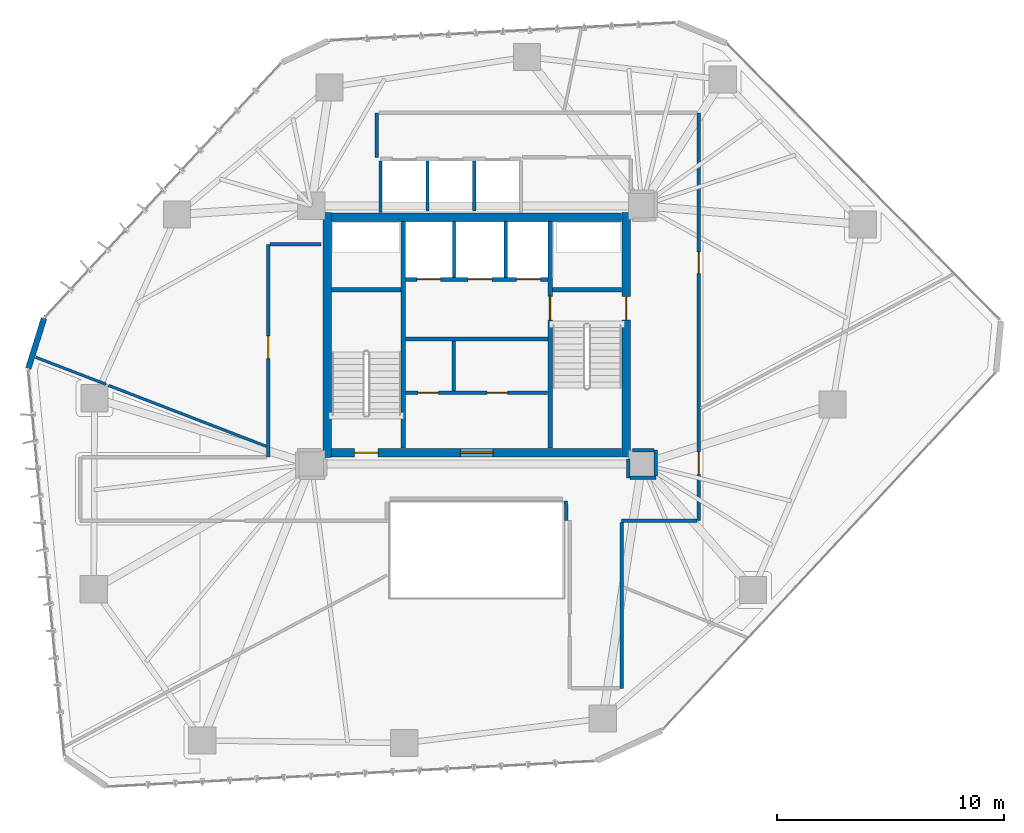
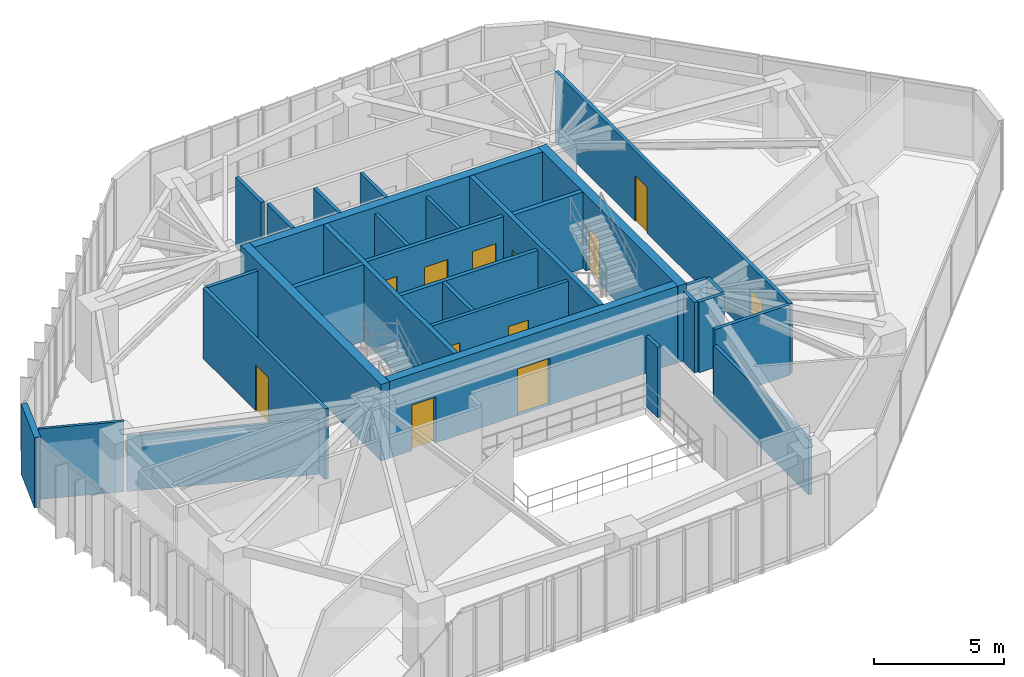
# One storey, part 19 of 23: 31 walls, 12 doors, 12 openings.
"""IFC4 building model written with IfcOpenShell, lengths in metres."""

from ifc_helpers import new_model, si_unit, direction, frame, frame_2d, origin, place, context, subcontext, project, spatial, rectangle, extrude, source, transform, mapped, material, layer, layer_set, type_object, type_shapes, element, fill, save


model = new_model("IFC4")

# Units and contexts
model_context = context("Model", 3, precision=1e-05, world=origin(), true_north=direction((0.0, 1.0)))
body_context = subcontext(model_context, "Body", "Model", "MODEL_VIEW")
ifc_project = project(units=[si_unit("LENGTHUNIT", "METRE"), si_unit("AREAUNIT", "SQUARE_METRE"), si_unit("VOLUMEUNIT", "CUBIC_METRE"), si_unit("PLANEANGLEUNIT", "RADIAN"), si_unit("MASSUNIT", "GRAM", prefix="KILO")], contexts=[model_context])

# Site, building, storey
site_placement = place(None, origin())
site = spatial("IfcSite", under=ifc_project, at=site_placement, CompositionType="ELEMENT")
building_placement = place(site_placement, origin())
building = spatial("IfcBuilding", under=site, at=building_placement, Name="Talar Marvaseh", CompositionType="ELEMENT")
storey_placement = place(building_placement, frame((0.0, 0.0, 100.199951171875)))
storey = spatial("IfcBuildingStorey", under=building, at=storey_placement, Name="L25", CompositionType="ELEMENT", Elevation=100.199951171875)

# Wall
ifc_material_1 = material(Name="Precast concrete C45/55", Category="concrete")
ifc_layer_1 = layer(ifc_material_1, 0.2548828125)
ifc_layer_set_1 = layer_set([ifc_layer_1], Name="Precast concrete C45/55")
wall_type_1 = type_object("IfcWallType", Name="Chamfered Hexagonal Corner Pier Wall Z2 255", PredefinedType="SOLIDWALL", material=ifc_layer_set_1)
wall_1_placement = place(storey_placement, frame((6.205322265625, 29.70751953125, 0.0), z_axis=(0.0, 0.0, 1.0), x_axis=(0.298619433378, 0.954372272234, 0.0)))
element("IfcWall", 1, at=wall_1_placement, inside=storey, type_object=wall_type_1, Name="L25 Chamfered Corner Limestone Pier 2", PredefinedType="SOLIDWALL", context=body_context, shape_type="SweptSolid", body=[
    extrude(rectangle(XDim=2.340576171875, YDim=0.2548828125, at=frame_2d((1.17041015625, 0.0))), origin(), (0.0, 0.0, 1.0), 3.31005859375),
])

# Wall, openings, doors
ifc_material_2 = material(Name="Gypsum Board Partition Assembly")
ifc_layer_2 = layer(ifc_material_2, 0.155029296875)
ifc_layer_set_2 = layer_set([ifc_layer_2], Name="Gypsum Board Partition Assembly")
wall_type_2 = type_object("IfcWallType", Name="Corridor Fire-Rated Acoustic Partition 155", PredefinedType="PARTITIONING", material=ifc_layer_set_2)
wall_2_placement = place(storey_placement, frame((22.865966796875, 28.639892578125, 0.0), z_axis=(0.0, 0.0, 1.0), x_axis=(1.0, 0.0, 0.0)))
wall_2 = element("IfcWall", 2, at=wall_2_placement, inside=storey, type_object=wall_type_2, Name="L25 Core BOH Partition", PredefinedType="PARTITIONING", context=body_context, shape_type="SweptSolid", body=[
    extrude(rectangle(XDim=6.26806640625, YDim=0.155029296875, at=frame_2d((3.134033203125, 0.0))), origin(), (0.0, 0.0, 1.0), 3.31005859375),
])
opening_1_placement = place(wall_2_placement, frame((0.550048828125, 0.0, 0.0)))
opening_1 = element("IfcOpeningElement", 3, at=opening_1_placement, cuts=wall_2, Name="Opening DR-BOH090", PredefinedType="OPENING", context=body_context, shape_type="SweptSolid", body=[
    extrude(rectangle(XDim=0.89990234375, YDim=2.10009765625, at=frame_2d((0.449951171875, 1.050048828125))), frame((0.0, 0.08740234375, 0.0), z_axis=(0.0, -1.0, 0.0), x_axis=(1.0, 0.0, 0.0)), (0.0, 0.0, 1.0), 0.175048828125),
])
opening_2_placement = place(wall_2_placement, frame((3.60009765625, 0.0, 0.0)))
opening_2 = element("IfcOpeningElement", 4, at=opening_2_placement, cuts=wall_2, Name="Opening DR-BOH090", PredefinedType="OPENING", context=body_context, shape_type="SweptSolid", body=[
    extrude(rectangle(XDim=0.89990234375, YDim=2.10009765625, at=frame_2d((0.449951171875, 1.050048828125))), frame((0.0, 0.08740234375, 0.0), z_axis=(0.0, -1.0, 0.0), x_axis=(1.0, 0.0, 0.0)), (0.0, 0.0, 1.0), 0.175048828125),
])
ifc_material_3 = material(Name="Fire-Rated Steel Door Leaf", Category="steel")
door_type_1 = type_object("IfcDoorType", Name="Core Back-of-House Service Door 900x2100", OperationType="NOTDEFINED", PredefinedType="DOOR", material=ifc_material_3)
shared_shape_1 = source(origin(), body_context, "Body", "SweptSolid", [
    extrude(rectangle(XDim=0.89990234375, YDim=2.10009765625, at=frame_2d((0.449951171875, 1.050048828125))), frame((0.0, 0.02490234375, 0.0), z_axis=(0.0, -1.0, 0.0), x_axis=(1.0, 0.0, 0.0)), (0.0, 0.0, 1.0), 0.050048828125),
])
type_shapes(door_type_1, [shared_shape_1])
door_1_placement = place(opening_1_placement, origin())
door_1 = element("IfcDoor", 5, at=door_1_placement, inside=storey, type_object=door_type_1, Name="L25 Cleaner Janitor Store Door", OperationType="SINGLE_SWING_LEFT", OverallHeight=2.10009765625, OverallWidth=0.89990234375, PredefinedType="DOOR", context=body_context, shape_type="MappedRepresentation", body=[
    mapped(shared_shape_1, transform((0.0, 0.0, 0.0), x_axis=(1.0, 0.0, 0.0), y_axis=(0.0, 1.0, 0.0), z_axis=(0.0, 0.0, 1.0), scale=1.0)),
])
fill(opening_1, door_1)
door_2_placement = place(opening_2_placement, origin())
door_2 = element("IfcDoor", 6, at=door_2_placement, inside=storey, type_object=door_type_1, Name="L25 Plant Core Electrical Meter Room Door", OperationType="SINGLE_SWING_RIGHT", OverallHeight=2.10009765625, OverallWidth=0.89990234375, PredefinedType="DOOR", context=body_context, shape_type="MappedRepresentation", body=[
    mapped(shared_shape_1, transform((0.0, 0.0, 0.0), x_axis=(1.0, 0.0, 0.0), y_axis=(0.0, 1.0, 0.0), z_axis=(0.0, 0.0, 1.0), scale=1.0)),
])
fill(opening_2, door_2)

# Wall
wall_3_placement = place(storey_placement, frame((24.97998046875, 28.719970703125, 0.0), z_axis=(0.0, 0.0, 1.0), x_axis=(0.0, 1.0, 0.0)))
element("IfcWall", 7, at=wall_3_placement, inside=storey, type_object=wall_type_2, Name="L25 Core BOH Partition", PredefinedType="PARTITIONING", context=body_context, shape_type="SweptSolid", body=[
    extrude(rectangle(XDim=2.219970703125, YDim=0.155029296875, at=frame_2d((1.10986328125, 0.0))), origin(), (0.0, 0.0, 1.0), 3.31005859375),
])

# Wall, opening, door
wall_4_placement = place(storey_placement, frame((16.800048828125, 25.800048828125, 0.0), z_axis=(0.0, 0.0, 1.0), x_axis=(0.0, 1.0, 0.0)))
wall_4 = element("IfcWall", 8, at=wall_4_placement, inside=storey, type_object=wall_type_2, Name="L25 Interior Partition Wall", PredefinedType="PARTITIONING", context=body_context, shape_type="SweptSolid", body=[
    extrude(rectangle(XDim=9.39990234375, YDim=0.155029296875, at=frame_2d((4.699951171875, 0.0))), origin(), (0.0, 0.0, 1.0), 3.31005859375),
])
opening_3_placement = place(wall_4_placement, frame((4.356201171875, 0.0, 0.0)))
opening_3 = element("IfcOpeningElement", 9, at=opening_3_placement, cuts=wall_4, Name="Opening DR-RM100", PredefinedType="OPENING", context=body_context, shape_type="SweptSolid", body=[
    extrude(rectangle(XDim=1.0, YDim=2.14990234375, at=frame_2d((0.5, 1.074951171875))), frame((0.0, 0.08740234375, 0.0), z_axis=(0.0, -1.0, 0.0), x_axis=(1.0, 0.0, 0.0)), (0.0, 0.0, 1.0), 0.175048828125),
])
ifc_material_4 = material(Name="Acoustic Engineered Oak Timber", Category="wood")
door_type_2 = type_object("IfcDoorType", Name="Corridor Fire-Rated Gallery Door 1000x2150", OperationType="NOTDEFINED", PredefinedType="DOOR", material=ifc_material_4)
shared_shape_2 = source(origin(), body_context, "Body", "SweptSolid", [
    extrude(rectangle(XDim=1.0, YDim=2.14990234375, at=frame_2d((0.5, 1.074951171875))), frame((0.0, 0.02490234375, 0.0), z_axis=(0.0, -1.0, 0.0), x_axis=(1.0, 0.0, 0.0)), (0.0, 0.0, 1.0), 0.050048828125),
])
type_shapes(door_type_2, [shared_shape_2])
door_3_placement = place(opening_3_placement, origin())
door_3 = element("IfcDoor", 10, at=door_3_placement, inside=storey, type_object=door_type_2, Name="L25 Colloquium Boardroom Door", OperationType="SINGLE_SWING_LEFT", OverallHeight=2.14990234375, OverallWidth=1.0, PredefinedType="DOOR", context=body_context, shape_type="MappedRepresentation", body=[
    mapped(shared_shape_2, transform((0.0, 0.0, 0.0), x_axis=(1.0, 0.0, 0.0), y_axis=(0.0, 1.0, 0.0), z_axis=(0.0, 0.0, 1.0), scale=1.0)),
])
fill(opening_3, door_3)

# Wall, openings, doors
wall_5_placement = place(storey_placement, frame((35.800048828125, 41.0, 0.0), z_axis=(0.0, 0.0, 1.0), x_axis=(0.0, -1.0, 0.0)))
wall_5 = element("IfcWall", 11, at=wall_5_placement, inside=storey, type_object=wall_type_2, Name="L25 Interior Partition Wall", PredefinedType="PARTITIONING", context=body_context, shape_type="SweptSolid", body=[
    extrude(rectangle(XDim=18.0, YDim=0.155029296875, at=frame_2d((9.0, 0.0))), origin(), (0.0, 0.0, 1.0), 3.31005859375),
])
opening_4_placement = place(wall_5_placement, frame((14.96533203125, 0.0, 0.0)))
opening_4 = element("IfcOpeningElement", 12, at=opening_4_placement, cuts=wall_5, Name="Opening DR-RM100", PredefinedType="OPENING", context=body_context, shape_type="SweptSolid", body=[
    extrude(rectangle(XDim=1.0, YDim=2.14990234375, at=frame_2d((0.5, 1.074951171875))), frame((0.0, 0.08740234375, 0.0), z_axis=(0.0, -1.0, 0.0), x_axis=(1.0, 0.0, 0.0)), (0.0, 0.0, 1.0), 0.175048828125),
])
opening_5_placement = place(wall_5_placement, frame((6.1396484375, 0.0, 0.0)))
opening_5 = element("IfcOpeningElement", 13, at=opening_5_placement, cuts=wall_5, Name="Opening DR-WC095", PredefinedType="OPENING", context=body_context, shape_type="SweptSolid", body=[
    extrude(rectangle(XDim=0.949951171875, YDim=2.14990234375, at=frame_2d((0.47509765625, 1.074951171875))), frame((0.0, 0.08740234375, 0.0), z_axis=(0.0, -1.0, 0.0), x_axis=(1.0, 0.0, 0.0)), (0.0, 0.0, 1.0), 0.175048828125),
])
door_type_3 = type_object("IfcDoorType", Name="Washroom and Service Room Door 950x2150", OperationType="NOTDEFINED", PredefinedType="DOOR", material=ifc_material_4)
shared_shape_3 = source(origin(), body_context, "Body", "SweptSolid", [
    extrude(rectangle(XDim=0.949951171875, YDim=2.14990234375, at=frame_2d((0.47509765625, 1.074951171875))), frame((0.0, 0.02490234375, 0.0), z_axis=(0.0, -1.0, 0.0), x_axis=(1.0, 0.0, 0.0)), (0.0, 0.0, 1.0), 0.050048828125),
])
type_shapes(door_type_3, [shared_shape_3])
door_4_placement = place(opening_5_placement, origin())
door_4 = element("IfcDoor", 14, at=door_4_placement, inside=storey, type_object=door_type_3, Name="L25 Accessible WC Block Door", OperationType="SINGLE_SWING_LEFT", OverallHeight=2.14990234375, OverallWidth=0.949951171875, PredefinedType="DOOR", context=body_context, shape_type="MappedRepresentation", body=[
    mapped(shared_shape_3, transform((0.0, 0.0, 0.0), x_axis=(1.0, 0.0, 0.0), y_axis=(0.0, 1.0, 0.0), z_axis=(0.0, 0.0, 1.0), scale=1.0)),
])
fill(opening_5, door_4)
door_5_placement = place(opening_4_placement, origin())
door_5 = element("IfcDoor", 15, at=door_5_placement, inside=storey, type_object=door_type_2, Name="L25 Archival Research Office Door", OperationType="SINGLE_SWING_RIGHT", OverallHeight=2.14990234375, OverallWidth=1.0, PredefinedType="DOOR", context=body_context, shape_type="MappedRepresentation", body=[
    mapped(shared_shape_2, transform((0.0, 0.0, 0.0), x_axis=(1.0, 0.0, 0.0), y_axis=(0.0, 1.0, 0.0), z_axis=(0.0, 0.0, 1.0), scale=1.0)),
])
fill(opening_4, door_5)

# Walls
wall_6_placement = place(storey_placement, frame((16.883544921875, 35.199951171875, 0.0), z_axis=(0.0, 0.0, 1.0), x_axis=(1.0, 0.0, 0.0)))
element("IfcWall", 16, at=wall_6_placement, inside=storey, type_object=wall_type_2, Name="L25 Interior Partition Wall", PredefinedType="PARTITIONING", context=body_context, shape_type="SweptSolid", body=[
    extrude(rectangle(XDim=2.246337890625, YDim=0.155029296875, at=frame_2d((1.123046875, 0.0))), origin(), (0.0, 0.0, 1.0), 3.31005859375),
])
wall_7_placement = place(storey_placement, frame((32.68505859375, 25.72998046875, 0.0), z_axis=(0.0, 0.0, 1.0), x_axis=(0.006382231486, -0.999979633353, 0.0)))
element("IfcWall", 17, at=wall_7_placement, inside=storey, type_object=wall_type_2, Name="L25 Interior Partition Wall", PredefinedType="PARTITIONING", context=body_context, shape_type="SweptSolid", body=[
    extrude(rectangle(XDim=0.841552734375, YDim=0.155029296875, at=frame_2d((0.4208984375, 0.0))), origin(), (0.0, 0.0, 1.0), 3.31005859375),
])
wall_8_placement = place(storey_placement, frame((32.77392578125, 24.88818359375, 0.0), z_axis=(0.0, 0.0, 1.0), x_axis=(0.999999164303, -0.001292823742, 0.0)))
element("IfcWall", 18, at=wall_8_placement, inside=storey, type_object=wall_type_2, Name="L25 Interior Partition Wall", PredefinedType="PARTITIONING", context=body_context, shape_type="SweptSolid", body=[
    extrude(rectangle(XDim=1.133056640625, YDim=0.155029296875, at=frame_2d((0.56640625, 0.0))), origin(), (0.0, 0.0, 1.0), 3.31005859375),
])
wall_9_placement = place(storey_placement, frame((33.907470703125, 24.97021484375, 0.0), z_axis=(0.0, 0.0, 1.0), x_axis=(0.003642572792, 0.99999336581, 0.0)))
element("IfcWall", 19, at=wall_9_placement, inside=storey, type_object=wall_type_2, Name="L25 Interior Partition Wall", PredefinedType="PARTITIONING", context=body_context, shape_type="SweptSolid", body=[
    extrude(rectangle(XDim=1.139404296875, YDim=0.155029296875, at=frame_2d((0.56982421875, 0.0))), origin(), (0.0, 0.0, 1.0), 3.31005859375),
])
wall_10_placement = place(storey_placement, frame((33.828125, 26.110107421875, 0.0), z_axis=(0.0, 0.0, 1.0), x_axis=(-0.999987011364, 0.005096773758, 0.0)))
element("IfcWall", 20, at=wall_10_placement, inside=storey, type_object=wall_type_2, Name="L25 Interior Partition Wall", PredefinedType="PARTITIONING", context=body_context, shape_type="SweptSolid", body=[
    extrude(rectangle(XDim=0.9580078125, YDim=0.155029296875, at=frame_2d((0.47900390625, 0.0))), origin(), (0.0, 0.0, 1.0), 3.31005859375),
])
wall_11_placement = place(storey_placement, frame((21.60009765625, 39.0400390625, 0.0), z_axis=(0.0, 0.0, 1.0), x_axis=(0.0, 1.0, 0.0)))
element("IfcWall", 21, at=wall_11_placement, inside=storey, type_object=wall_type_2, Name="L25 Interior Partition Wall", PredefinedType="PARTITIONING", context=body_context, shape_type="SweptSolid", body=[
    extrude(rectangle(XDim=1.9599609375, YDim=0.155029296875, at=frame_2d((0.97998046875, 0.0))), origin(), (0.0, 0.0, 1.0), 3.31005859375),
])
wall_12_placement = place(storey_placement, frame((35.716552734375, 23.0, 0.0), z_axis=(0.0, 0.0, 1.0), x_axis=(-1.0, 0.0, 0.0)))
element("IfcWall", 22, at=wall_12_placement, inside=storey, type_object=wall_type_2, Name="L25 Interior Partition Wall", PredefinedType="PARTITIONING", context=body_context, shape_type="SweptSolid", body=[
    extrude(rectangle(XDim=3.316650390625, YDim=0.155029296875, at=frame_2d((1.658203125, 0.0))), origin(), (0.0, 0.0, 1.0), 3.31005859375),
])
wall_13_placement = place(storey_placement, frame((32.39990234375, 22.91650390625, 0.0), z_axis=(0.0, 0.0, 1.0), x_axis=(0.0, -1.0, 0.0)))
element("IfcWall", 23, at=wall_13_placement, inside=storey, type_object=wall_type_2, Name="L25 Interior Partition Wall", PredefinedType="PARTITIONING", context=body_context, shape_type="SweptSolid", body=[
    extrude(rectangle(XDim=7.31640625, YDim=0.155029296875, at=frame_2d((3.658203125, 0.0))), origin(), (0.0, 0.0, 1.0), 2.590087890625),
])
wall_14_placement = place(storey_placement, frame((29.9599609375, 23.0, 0.0), z_axis=(0.0, 0.0, 1.0), x_axis=(-0.021467444279, 0.999769547864, 0.0)))
element("IfcWall", 24, at=wall_14_placement, inside=storey, type_object=wall_type_2, Name="L25 Interior Partition Wall", PredefinedType="PARTITIONING", context=body_context, shape_type="SweptSolid", body=[
    extrude(rectangle(XDim=0.875732421875, YDim=0.155029296875, at=frame_2d((0.43798828125, 0.0))), origin(), (0.0, 0.0, 1.0), 3.31005859375),
])
ifc_layer_3 = layer(ifc_material_2, 0.1201171875)
ifc_layer_set_3 = layer_set([ifc_layer_3], Name="Gypsum Board Partition Assembly")
wall_type_3 = type_object("IfcWallType", Name="Demountable Studio Room Partition 120", PredefinedType="PARTITIONING", material=ifc_layer_set_3)
wall_15_placement = place(storey_placement, frame((6.533935546875, 30.2138671875, 0.0), z_axis=(0.0, 0.0, 1.0), x_axis=(0.933421225314, -0.358782407781, 0.0)))
element("IfcWall", 25, at=wall_15_placement, inside=storey, type_object=wall_type_3, Name="L25 Interior Partition Wall", PredefinedType="PARTITIONING", context=body_context, shape_type="SweptSolid", body=[
    extrude(rectangle(XDim=3.327392578125, YDim=0.1201171875, at=frame_2d((1.66357421875, 0.0))), origin(), (0.0, 0.0, 1.0), 3.31005859375),
])
wall_16_placement = place(storey_placement, frame((9.75, 28.969970703125, 0.0), z_axis=(0.0, 0.0, 1.0), x_axis=(0.932972642156, -0.359947286402, 0.0)))
element("IfcWall", 26, at=wall_16_placement, inside=storey, type_object=wall_type_3, Name="L25 Interior Partition Wall", PredefinedType="PARTITIONING", context=body_context, shape_type="SweptSolid", body=[
    extrude(rectangle(XDim=7.467041015625, YDim=0.1201171875, at=frame_2d((3.7333984375, 0.0))), origin(), (0.0, 0.0, 1.0), 2.590087890625),
])
ifc_layer_4 = layer(ifc_material_1, 0.14501953125)
ifc_layer_set_4 = layer_set([ifc_layer_4], Name="Precast concrete C45/55")
wall_type_4 = type_object("IfcWallType", Name="Fire-Rated Lift Divider Wall 145", PredefinedType="SOLIDWALL", material=ifc_layer_set_4)
for number, where, z_axis, x_axis, name in (
    (27, (25.0, 33.743408203125, 0.0), (0.0, 0.0, 1.0), (0.0, 1.0, 0.0), "L25 FFL-1/FFL-2 Divider"),
    (28, (27.280029296875, 33.743408203125, 0.0), (0.0, 0.0, 1.0), (0.0, 1.0, 0.0), "L25 FFL-2/SVL-1 Divider"),
):
    element("IfcWall", number, at=place(storey_placement, frame(where, z_axis=z_axis, x_axis=x_axis)), inside=storey, type_object=wall_type_4, Name=name, PredefinedType="SOLIDWALL", context=body_context, shape_type="SweptSolid", body=[
        extrude(rectangle(XDim=2.45654296875, YDim=0.14501953125, at=frame_2d((1.228271484375, 0.0))), origin(), (0.0, 0.0, 1.0), 3.31005859375),
    ])
wall_17_placement = place(storey_placement, frame((21.760009765625, 36.60009765625, 0.0), z_axis=(0.0, 0.0, 1.0), x_axis=(0.0, 1.0, 0.0)))
element("IfcWall", 29, at=wall_17_placement, inside=storey, type_object=wall_type_4, Name="L25 Low-Rise Bank West Wall", PredefinedType="SOLIDWALL", context=body_context, shape_type="SweptSolid", body=[
    extrude(rectangle(XDim=2.266357421875, YDim=0.14501953125, at=frame_2d((1.13330078125, 0.0))), origin(), (0.0, 0.0, 1.0), 3.31005859375),
])
for number, where, z_axis, x_axis, name in (
    (30, (23.830078125, 36.659912109375, 0.0), (0.0, 0.0, 1.0), (0.0, 1.0, 0.0), "L25 PL-L1/PL-L2 Divider"),
    (31, (25.889892578125, 36.659912109375, 0.0), (0.0, 0.0, 1.0), (0.0, 1.0, 0.0), "L25 PL-L2/PL-L3 Divider"),
):
    element("IfcWall", number, at=place(storey_placement, frame(where, z_axis=z_axis, x_axis=x_axis)), inside=storey, type_object=wall_type_4, Name=name, PredefinedType="SOLIDWALL", context=body_context, shape_type="SweptSolid", body=[
        extrude(rectangle(XDim=2.20654296875, YDim=0.14501953125, at=frame_2d((1.103271484375, 0.0))), origin(), (0.0, 0.0, 1.0), 3.31005859375),
    ])

# Wall, openings, doors
ifc_layer_5 = layer(ifc_material_1, 0.175048828125)
ifc_layer_set_5 = layer_set([ifc_layer_5], Name="Precast concrete C45/55")
wall_type_5 = type_object("IfcWallType", Name="Fire-Rated Lift Hoistway Enclosure Wall 175", PredefinedType="SOLIDWALL", material=ifc_layer_set_5)
wall_18_placement = place(storey_placement, frame((22.860107421875, 33.64990234375, 0.0), z_axis=(0.0, 0.0, 1.0), x_axis=(1.0, 0.0, 0.0)))
wall_18 = element("IfcWall", 32, at=wall_18_placement, inside=storey, type_object=wall_type_5, Name="L25 Firefighting and Service Lift Front Wall", PredefinedType="SOLIDWALL", context=body_context, shape_type="SweptSolid", body=[
    extrude(rectangle(XDim=6.27978515625, YDim=0.175048828125, at=frame_2d((3.139892578125, 0.0))), origin(), (0.0, 0.0, 1.0), 3.31005859375),
])
opening_6_placement = place(wall_18_placement, frame((0.5, 0.0, 0.0)))
opening_6 = element("IfcOpeningElement", 33, at=opening_6_placement, cuts=wall_18, Name="Opening LD-FF1", PredefinedType="OPENING", context=body_context, shape_type="SweptSolid", body=[
    extrude(rectangle(XDim=1.050048828125, YDim=2.14990234375, at=frame_2d((0.52490234375, 1.074951171875))), frame((0.0, 0.09765625, 0.0), z_axis=(0.0, -1.0, 0.0), x_axis=(1.0, 0.0, 0.0)), (0.0, 0.0, 1.0), 0.195068359375),
])
opening_7_placement = place(wall_18_placement, frame((2.760009765625, 0.0, 0.0)))
opening_7 = element("IfcOpeningElement", 34, at=opening_7_placement, cuts=wall_18, Name="Opening LD-FF2", PredefinedType="OPENING", context=body_context, shape_type="SweptSolid", body=[
    extrude(rectangle(XDim=1.050048828125, YDim=2.14990234375, at=frame_2d((0.52490234375, 1.074951171875))), frame((0.0, 0.09765625, 0.0), z_axis=(0.0, -1.0, 0.0), x_axis=(1.0, 0.0, 0.0)), (0.0, 0.0, 1.0), 0.195068359375),
])
opening_8_placement = place(wall_18_placement, frame((4.89990234375, 0.0, 0.0)))
opening_8 = element("IfcOpeningElement", 35, at=opening_8_placement, cuts=wall_18, Name="Opening LD-SV1", PredefinedType="OPENING", context=body_context, shape_type="SweptSolid", body=[
    extrude(rectangle(XDim=1.050048828125, YDim=2.14990234375, at=frame_2d((0.52490234375, 1.074951171875))), frame((0.0, 0.09765625, 0.0), z_axis=(0.0, -1.0, 0.0), x_axis=(1.0, 0.0, 0.0)), (0.0, 0.0, 1.0), 0.195068359375),
])
ifc_material_5 = material(Name="Stainless Steel Grade 316", Category="steel")
door_type_4 = type_object("IfcDoorType", Name="Automatic Sliding Lift Landing Door 1050x2150", OperationType="NOTDEFINED", PredefinedType="DOOR", material=ifc_material_5)
shared_shape_4 = source(origin(), body_context, "Body", "SweptSolid", [
    extrude(rectangle(XDim=1.050048828125, YDim=2.14990234375, at=frame_2d((0.52490234375, 1.074951171875))), frame((0.0, 0.02490234375, 0.0), z_axis=(0.0, -1.0, 0.0), x_axis=(1.0, 0.0, 0.0)), (0.0, 0.0, 1.0), 0.050048828125),
])
type_shapes(door_type_4, [shared_shape_4])
door_6_placement = place(opening_6_placement, origin())
door_6 = element("IfcDoor", 36, at=door_6_placement, inside=storey, type_object=door_type_4, Name="L25 Lift FFL-1 Sliding Landing Door", OperationType="SLIDING_TO_LEFT", OverallHeight=2.14990234375, OverallWidth=1.050048828125, PredefinedType="DOOR", context=body_context, shape_type="MappedRepresentation", body=[
    mapped(shared_shape_4, transform((0.0, 0.0, 0.0), x_axis=(1.0, 0.0, 0.0), y_axis=(0.0, 1.0, 0.0), z_axis=(0.0, 0.0, 1.0), scale=1.0)),
])
fill(opening_6, door_6)
door_7_placement = place(opening_7_placement, origin())
door_7 = element("IfcDoor", 37, at=door_7_placement, inside=storey, type_object=door_type_4, Name="L25 Lift FFL-2 Sliding Landing Door", OperationType="SLIDING_TO_LEFT", OverallHeight=2.14990234375, OverallWidth=1.050048828125, PredefinedType="DOOR", context=body_context, shape_type="MappedRepresentation", body=[
    mapped(shared_shape_4, transform((0.0, 0.0, 0.0), x_axis=(1.0, 0.0, 0.0), y_axis=(0.0, 1.0, 0.0), z_axis=(0.0, 0.0, 1.0), scale=1.0)),
])
fill(opening_7, door_7)
door_8_placement = place(opening_8_placement, origin())
door_8 = element("IfcDoor", 38, at=door_8_placement, inside=storey, type_object=door_type_4, Name="L25 Lift SVL-1 Sliding Landing Door", OperationType="SLIDING_TO_LEFT", OverallHeight=2.14990234375, OverallWidth=1.050048828125, PredefinedType="DOOR", context=body_context, shape_type="MappedRepresentation", body=[
    mapped(shared_shape_4, transform((0.0, 0.0, 0.0), x_axis=(1.0, 0.0, 0.0), y_axis=(0.0, 1.0, 0.0), z_axis=(0.0, 0.0, 1.0), scale=1.0)),
])
fill(opening_8, door_8)

# Walls
wall_19_placement = place(storey_placement, frame((22.860107421875, 31.02001953125, 0.0), z_axis=(0.0, 0.0, 1.0), x_axis=(1.0, 0.0, 0.0)))
element("IfcWall", 39, at=wall_19_placement, inside=storey, type_object=wall_type_5, Name="L25 Firefighting Lobby South Smoke Wall", PredefinedType="SOLIDWALL", context=body_context, shape_type="SweptSolid", body=[
    extrude(rectangle(XDim=6.27978515625, YDim=0.175048828125, at=frame_2d((3.139892578125, 0.0))), origin(), (0.0, 0.0, 1.0), 3.31005859375),
])
ifc_material_6 = material(Name="Concrete C60/75", Category="concrete")
ifc_layer_6 = layer(ifc_material_6, 0.3798828125)
ifc_layer_set_6 = layer_set([ifc_layer_6], Name="Concrete C60/75")
wall_type_6 = type_object("IfcWallType", Name="Mid Core Reinforced Concrete Shear Wall 380", PredefinedType="SHEAR", material=ifc_layer_set_6)
wall_20_placement = place(storey_placement, frame((19.39990234375, 25.800048828125, 0.0), z_axis=(0.0, 0.0, 1.0), x_axis=(0.0, 1.0, 0.0)))
element("IfcWall", 40, at=wall_20_placement, inside=storey, type_object=wall_type_6, Name="L25 West Core Shear Wall", PredefinedType="SHEAR", context=body_context, shape_type="SweptSolid", body=[
    extrude(rectangle(XDim=10.800048828125, YDim=0.3798828125, at=frame_2d((5.39990234375, 0.0))), origin(), (0.0, 0.0, 1.0), 3.60009765625),
])

# Wall, opening, door
wall_21_placement = place(storey_placement, frame((32.60009765625, 36.60009765625, 0.0), z_axis=(0.0, 0.0, 1.0), x_axis=(0.0, -1.0, 0.0)))
wall_21 = element("IfcWall", 41, at=wall_21_placement, inside=storey, type_object=wall_type_6, Name="L25 East Core Shear Wall", PredefinedType="SHEAR", context=body_context, shape_type="SweptSolid", body=[
    extrude(rectangle(XDim=10.800048828125, YDim=0.3798828125, at=frame_2d((5.39990234375, 0.0))), origin(), (0.0, 0.0, 1.0), 3.60009765625),
])
opening_9_placement = place(wall_21_placement, frame((3.699951171875, 0.0, 0.0)))
opening_9 = element("IfcOpeningElement", 42, at=opening_9_placement, cuts=wall_21, Name="Opening DR-ST105", PredefinedType="OPENING", context=body_context, shape_type="SweptSolid", body=[
    extrude(rectangle(XDim=1.050048828125, YDim=2.14990234375, at=frame_2d((0.52490234375, 1.074951171875))), frame((0.0, 0.199951171875, 0.0), z_axis=(0.0, -1.0, 0.0), x_axis=(1.0, 0.0, 0.0)), (0.0, 0.0, 1.0), 0.39990234375),
])
door_type_5 = type_object("IfcDoorType", Name="Protected Exit Stair Fire Door 1050x2150", OperationType="NOTDEFINED", PredefinedType="DOOR", material=ifc_material_3)
shared_shape_5 = source(origin(), body_context, "Body", "SweptSolid", [
    extrude(rectangle(XDim=1.050048828125, YDim=2.14990234375, at=frame_2d((0.52490234375, 1.074951171875))), frame((0.0, 0.02490234375, 0.0), z_axis=(0.0, -1.0, 0.0), x_axis=(1.0, 0.0, 0.0)), (0.0, 0.0, 1.0), 0.050048828125),
])
type_shapes(door_type_5, [shared_shape_5])
door_9_placement = place(opening_9_placement, origin())
door_9 = element("IfcDoor", 43, at=door_9_placement, inside=storey, type_object=door_type_5, Name="L25 Stair ST-2 Corridor Exit Door", OperationType="SINGLE_SWING_LEFT", OverallHeight=2.14990234375, OverallWidth=1.050048828125, PredefinedType="DOOR", context=body_context, shape_type="MappedRepresentation", body=[
    mapped(shared_shape_5, transform((0.0, 0.0, 0.0), x_axis=(1.0, 0.0, 0.0), y_axis=(0.0, 1.0, 0.0), z_axis=(0.0, 0.0, 1.0), scale=1.0)),
])
fill(opening_9, door_9)

# Wall
wall_22_placement = place(storey_placement, frame((19.60009765625, 36.39990234375, 0.0), z_axis=(0.0, 0.0, 1.0), x_axis=(1.0, 0.0, 0.0)))
element("IfcWall", 44, at=wall_22_placement, inside=storey, type_object=wall_type_6, Name="L25 North Core Shear Wall", PredefinedType="SHEAR", context=body_context, shape_type="SweptSolid", body=[
    extrude(rectangle(XDim=12.7998046875, YDim=0.3798828125, at=frame_2d((6.39990234375, 0.0))), origin(), (0.0, 0.0, 1.0), 3.60009765625),
])

# Wall, openings, doors
wall_23_placement = place(storey_placement, frame((32.39990234375, 26.0, 0.0), z_axis=(0.0, 0.0, 1.0), x_axis=(-1.0, 0.0, 0.0)))
wall_23 = element("IfcWall", 45, at=wall_23_placement, inside=storey, type_object=wall_type_6, Name="L25 South Core Shear Wall", PredefinedType="SHEAR", context=body_context, shape_type="SweptSolid", body=[
    extrude(rectangle(XDim=12.7998046875, YDim=0.3798828125, at=frame_2d((6.39990234375, 0.0))), origin(), (0.0, 0.0, 1.0), 3.60009765625),
])
opening_10_placement = place(wall_23_placement, frame((10.75, 0.0, 0.0)))
opening_10 = element("IfcOpeningElement", 46, at=opening_10_placement, cuts=wall_23, Name="Opening DR-ST105", PredefinedType="OPENING", context=body_context, shape_type="SweptSolid", body=[
    extrude(rectangle(XDim=1.050048828125, YDim=2.14990234375, at=frame_2d((0.52490234375, 1.074951171875))), frame((0.0, 0.199951171875, 0.0), z_axis=(0.0, -1.0, 0.0), x_axis=(1.0, 0.0, 0.0)), (0.0, 0.0, 1.0), 0.39990234375),
])
opening_11_placement = place(wall_23_placement, frame((5.669921875, 0.0, 0.0)))
opening_11 = element("IfcOpeningElement", 47, at=opening_11_placement, cuts=wall_23, Name="Opening DR-LBY145", PredefinedType="OPENING", context=body_context, shape_type="SweptSolid", body=[
    extrude(rectangle(XDim=1.449951171875, YDim=2.199951171875, at=frame_2d((0.72509765625, 1.10009765625))), frame((0.0, 0.199951171875, 0.0), z_axis=(0.0, -1.0, 0.0), x_axis=(1.0, 0.0, 0.0)), (0.0, 0.0, 1.0), 0.39990234375),
])
door_10_placement = place(opening_10_placement, origin())
door_10 = element("IfcDoor", 48, at=door_10_placement, inside=storey, type_object=door_type_5, Name="L25 Stair ST-1 Exit Door", OperationType="SINGLE_SWING_RIGHT", OverallHeight=2.14990234375, OverallWidth=1.050048828125, PredefinedType="DOOR", context=body_context, shape_type="MappedRepresentation", body=[
    mapped(shared_shape_5, transform((0.0, 0.0, 0.0), x_axis=(1.0, 0.0, 0.0), y_axis=(0.0, 1.0, 0.0), z_axis=(0.0, 0.0, 1.0), scale=1.0)),
])
fill(opening_10, door_10)
door_type_6 = type_object("IfcDoorType", Name="Core Lift Lobby Double Smoke Door 1450x2200", OperationType="NOTDEFINED", PredefinedType="DOOR", material=ifc_material_3)
shared_shape_6 = source(origin(), body_context, "Body", "SweptSolid", [
    extrude(rectangle(XDim=1.449951171875, YDim=2.199951171875, at=frame_2d((0.72509765625, 1.10009765625))), frame((0.0, 0.02490234375, 0.0), z_axis=(0.0, -1.0, 0.0), x_axis=(1.0, 0.0, 0.0)), (0.0, 0.0, 1.0), 0.050048828125),
])
type_shapes(door_type_6, [shared_shape_6])
door_11_placement = place(opening_11_placement, origin())
door_11 = element("IfcDoor", 49, at=door_11_placement, inside=storey, type_object=door_type_6, Name="L25 Passenger Lift Lobby Entrance Door", OperationType="DOUBLE_DOOR_SINGLE_SWING", OverallHeight=2.199951171875, OverallWidth=1.449951171875, PredefinedType="DOOR", context=body_context, shape_type="MappedRepresentation", body=[
    mapped(shared_shape_6, transform((0.0, 0.0, 0.0), x_axis=(1.0, 0.0, 0.0), y_axis=(0.0, 1.0, 0.0), z_axis=(0.0, 0.0, 1.0), scale=1.0)),
])
fill(opening_11, door_11)

# Wall
ifc_material_7 = material(Name="Concrete C50/60", Category="concrete")
ifc_layer_7 = layer(ifc_material_7, 0.199951171875)
ifc_layer_set_7 = layer_set([ifc_layer_7], Name="Concrete C50/60")
wall_type_7 = type_object("IfcWallType", Name="Stair Shaft Structural Concrete Shear Wall 200", PredefinedType="SHEAR", material=ifc_layer_set_7)
wall_24_placement = place(storey_placement, frame((22.760009765625, 26.199951171875, 0.0), z_axis=(0.0, 0.0, 1.0), x_axis=(0.0, 1.0, 0.0)))
element("IfcWall", 50, at=wall_24_placement, inside=storey, type_object=wall_type_7, Name="L25 Core West Stair Shear Wall", PredefinedType="SHEAR", context=body_context, shape_type="SweptSolid", body=[
    extrude(rectangle(XDim=10.0, YDim=0.199951171875, at=frame_2d((5.0, 0.0))), origin(), (0.0, 0.0, 1.0), 3.60009765625),
])

# Wall, opening, door
wall_25_placement = place(storey_placement, frame((29.239990234375, 26.199951171875, 0.0), z_axis=(0.0, 0.0, 1.0), x_axis=(0.0, 1.0, 0.0)))
wall_25 = element("IfcWall", 51, at=wall_25_placement, inside=storey, type_object=wall_type_7, Name="L25 Core East Stair Shear Wall", PredefinedType="SHEAR", context=body_context, shape_type="SweptSolid", body=[
    extrude(rectangle(XDim=10.0, YDim=0.199951171875, at=frame_2d((5.0, 0.0))), origin(), (0.0, 0.0, 1.0), 3.60009765625),
])
opening_12_placement = place(wall_25_placement, frame((5.64990234375, 0.0, 0.0)))
opening_12 = element("IfcOpeningElement", 52, at=opening_12_placement, cuts=wall_25, Name="Opening DR-ST105", PredefinedType="OPENING", context=body_context, shape_type="SweptSolid", body=[
    extrude(rectangle(XDim=1.050048828125, YDim=2.14990234375, at=frame_2d((0.52490234375, 1.074951171875))), frame((0.0, 0.10986328125, 0.0), z_axis=(0.0, -1.0, 0.0), x_axis=(1.0, 0.0, 0.0)), (0.0, 0.0, 1.0), 0.219970703125),
])
door_12_placement = place(opening_12_placement, origin())
door_12 = element("IfcDoor", 53, at=door_12_placement, inside=storey, type_object=door_type_5, Name="L25 Firefighting Lobby to Stair ST-2 Door", OperationType="SINGLE_SWING_LEFT", OverallHeight=2.14990234375, OverallWidth=1.050048828125, PredefinedType="DOOR", context=body_context, shape_type="MappedRepresentation", body=[
    mapped(shared_shape_5, transform((0.0, 0.0, 0.0), x_axis=(1.0, 0.0, 0.0), y_axis=(0.0, 1.0, 0.0), z_axis=(0.0, 0.0, 1.0), scale=1.0)),
])
fill(opening_12, door_12)

# Walls
for number, where, z_axis, x_axis, name in (
    (54, (19.60009765625, 33.199951171875, 0.0), (0.0, 0.0, 1.0), (1.0, 0.0, 0.0), "L25 Stair ST-1 North Shear Wall"),
    (55, (29.340087890625, 33.199951171875, 0.0), (0.0, 0.0, 1.0), (1.0, 0.0, 0.0), "L25 Stair ST-2 North Shear Wall"),
):
    element("IfcWall", number, at=place(storey_placement, frame(where, z_axis=z_axis, x_axis=x_axis)), inside=storey, type_object=wall_type_7, Name=name, PredefinedType="SHEAR", context=body_context, shape_type="SweptSolid", body=[
        extrude(rectangle(XDim=3.059814453125, YDim=0.199951171875, at=frame_2d((1.52978515625, 0.0))), origin(), (0.0, 0.0, 1.0), 3.60009765625),
    ])

save(model, "model.ifc")
